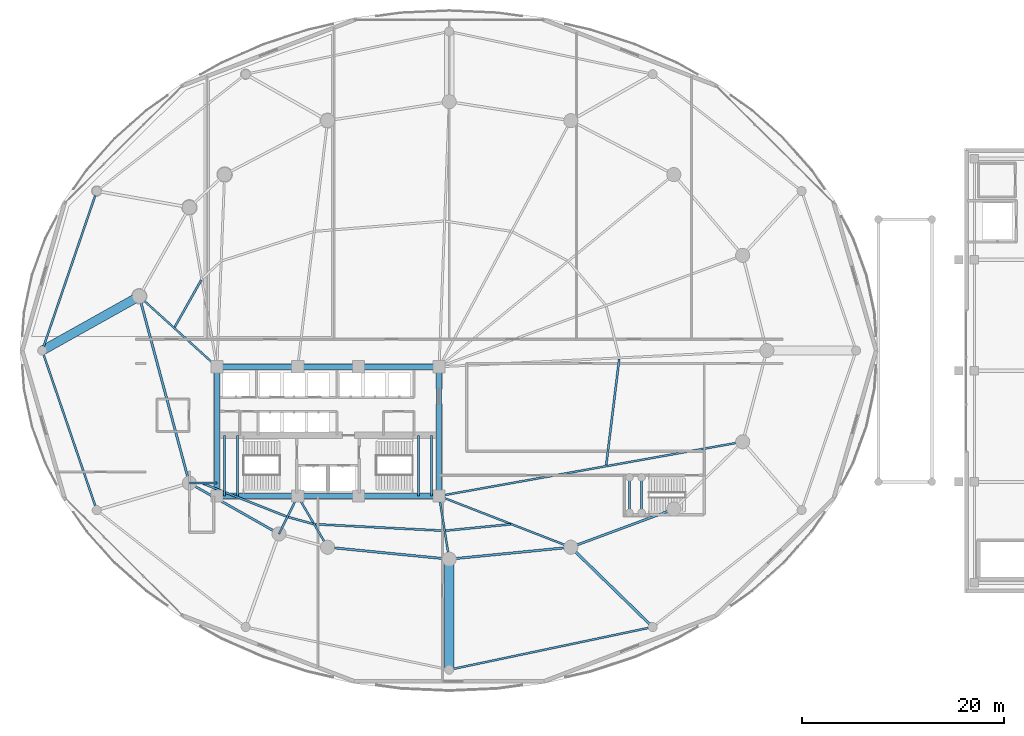
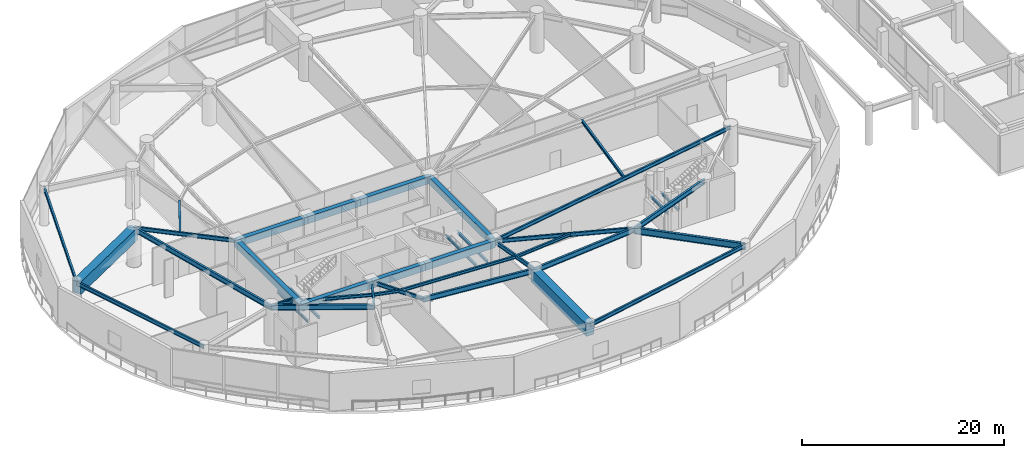
# One storey, part 5 of 36: 38 beams.
"""IFC4 building model written with IfcOpenShell, lengths in metres."""

from ifc_helpers import new_model, si_unit, direction, frame, origin, origin_2d, place, context, subcontext, project, spatial, rectangle, i_section, extrude, material, material_profile, profile_set, type_object, element, save


model = new_model("IFC4")

# Units and contexts
model_context = context("Model", 3, precision=1e-05, world=origin(), true_north=direction((0.0, 1.0)))
body_context = subcontext(model_context, "Body", "Model", "MODEL_VIEW")
ifc_project = project(units=[si_unit("LENGTHUNIT", "METRE"), si_unit("AREAUNIT", "SQUARE_METRE"), si_unit("VOLUMEUNIT", "CUBIC_METRE"), si_unit("PLANEANGLEUNIT", "RADIAN"), si_unit("MASSUNIT", "GRAM", prefix="KILO")], contexts=[model_context])

# Site, building, storey
site_placement = place(None, origin())
site = spatial("IfcSite", under=ifc_project, at=site_placement, CompositionType="ELEMENT")
building_placement = place(site_placement, origin())
building = spatial("IfcBuilding", under=site, at=building_placement, Name="Kazevale Care Tower and Concert Hall", CompositionType="ELEMENT")
storey_placement = place(building_placement, frame((0.0, 0.0, 14.39990234375)))
storey = spatial("IfcBuildingStorey", under=building, at=storey_placement, Name="L03", CompositionType="ELEMENT", Elevation=14.39990234375)

# Beams
ifc_material_1 = material(Name="Concrete C60", Category="concrete")
ifc_material_profile_1 = material_profile(ifc_material_1, rectangle(XDim=0.5, YDim=0.85009765625, at=origin_2d()), Name="RC-B500x850")
ifc_profile_set_1 = profile_set([ifc_material_profile_1], Name="Concrete C60")
beam_type_1 = type_object("IfcBeamType", Name="Core Coupling Beam RC500x850", PredefinedType="LINTEL", material=ifc_profile_set_1)
beam_1_placement = place(storey_placement, frame((22.0, 23.60009765625, 4.09521484375), z_axis=(1.0, 0.0, 0.0), x_axis=(0.0, 1.0, 0.0)))
element("IfcBeam", 1, at=beam_1_placement, inside=storey, type_object=beam_type_1, Name="beam:L03:coretie:1", PredefinedType="LINTEL", context=body_context, shape_type="SweptSolid", body=[
    extrude(rectangle(XDim=0.5, YDim=0.85009765625, at=origin_2d()), origin(), (0.0, 0.0, 1.0), 8.0),
])
beam_2_placement = place(storey_placement, frame((30.0, 23.60009765625, 4.09521484375), z_axis=(1.0, 0.0, 0.0), x_axis=(0.0, 1.0, 0.0)))
element("IfcBeam", 2, at=beam_2_placement, inside=storey, type_object=beam_type_1, Name="beam:L03:coretie:2", PredefinedType="LINTEL", context=body_context, shape_type="SweptSolid", body=[
    extrude(rectangle(XDim=0.5, YDim=0.85009765625, at=origin_2d()), origin(), (0.0, 0.0, 1.0), 6.0),
])
beam_3_placement = place(storey_placement, frame((36.0, 23.60009765625, 4.09521484375), z_axis=(1.0, 0.0, 0.0), x_axis=(0.0, 1.0, 0.0)))
element("IfcBeam", 3, at=beam_3_placement, inside=storey, type_object=beam_type_1, Name="beam:L03:coretie:3", PredefinedType="LINTEL", context=body_context, shape_type="SweptSolid", body=[
    extrude(rectangle(XDim=0.5, YDim=0.85009765625, at=origin_2d()), origin(), (0.0, 0.0, 1.0), 8.0),
])
beam_4_placement = place(storey_placement, frame((44.0, 23.60009765625, 4.09521484375), z_axis=(0.0, 1.0, 0.0), x_axis=(-1.0, 0.0, 0.0)))
element("IfcBeam", 4, at=beam_4_placement, inside=storey, type_object=beam_type_1, Name="beam:L03:coretie:4", PredefinedType="LINTEL", context=body_context, shape_type="SweptSolid", body=[
    extrude(rectangle(XDim=0.5, YDim=0.85009765625, at=origin_2d()), origin(), (0.0, 0.0, 1.0), 12.7998046875),
])
beam_5_placement = place(storey_placement, frame((44.0, 36.39990234375, 4.09521484375), z_axis=(-1.0, 0.0, 0.0), x_axis=(0.0, -1.0, 0.0)))
element("IfcBeam", 5, at=beam_5_placement, inside=storey, type_object=beam_type_1, Name="beam:L03:coretie:5", PredefinedType="LINTEL", context=body_context, shape_type="SweptSolid", body=[
    extrude(rectangle(XDim=0.5, YDim=0.85009765625, at=origin_2d()), origin(), (0.0, 0.0, 1.0), 8.0),
])
beam_6_placement = place(storey_placement, frame((36.0, 36.39990234375, 4.09521484375), z_axis=(-1.0, 0.0, 0.0), x_axis=(0.0, -1.0, 0.0)))
element("IfcBeam", 6, at=beam_6_placement, inside=storey, type_object=beam_type_1, Name="beam:L03:coretie:6", PredefinedType="LINTEL", context=body_context, shape_type="SweptSolid", body=[
    extrude(rectangle(XDim=0.5, YDim=0.85009765625, at=origin_2d()), origin(), (0.0, 0.0, 1.0), 6.0),
])
beam_7_placement = place(storey_placement, frame((30.0, 36.39990234375, 4.09521484375), z_axis=(-1.0, 0.0, 0.0), x_axis=(0.0, -1.0, 0.0)))
element("IfcBeam", 7, at=beam_7_placement, inside=storey, type_object=beam_type_1, Name="beam:L03:coretie:7", PredefinedType="LINTEL", context=body_context, shape_type="SweptSolid", body=[
    extrude(rectangle(XDim=0.5, YDim=0.85009765625, at=origin_2d()), origin(), (0.0, 0.0, 1.0), 8.0),
])
beam_8_placement = place(storey_placement, frame((22.0, 36.39990234375, 4.09521484375), z_axis=(0.0, -1.0, 0.0), x_axis=(1.0, 0.0, 0.0)))
element("IfcBeam", 8, at=beam_8_placement, inside=storey, type_object=beam_type_1, Name="beam:L03:coretie:8", PredefinedType="LINTEL", context=body_context, shape_type="SweptSolid", body=[
    extrude(rectangle(XDim=0.5, YDim=0.85009765625, at=origin_2d()), origin(), (0.0, 0.0, 1.0), 12.7998046875),
])
ifc_material_2 = material(Name="Steel ASTM A572 Gr 50", Category="steel")
ifc_material_profile_2 = material_profile(ifc_material_2, i_section(OverallWidth=0.194091796875, OverallDepth=0.468994140625, WebThickness=0.0126953125, FlangeThickness=0.0205078125, at=origin_2d()), Name="W460x106")
ifc_profile_set_2 = profile_set([ifc_material_profile_2], Name="Steel ASTM A572 Gr 50")
beam_type_2 = type_object("IfcBeamType", Name="Podium Floor Beam W460x106", PredefinedType="BEAM", material=ifc_profile_set_2)
for number, where, z_axis, x_axis, name in (
    (9, (10.10009765625, 53.800048828125, 4.28564453125), (-0.323412440773, -0.946258100707, 0.0), (0.946258100707, -0.323412440773, 0.0), "beam:L03:podring:06"),
    (10, (4.699951171875, 38.0, 4.28564453125), (0.323412440773, -0.946258100707, 0.0), (0.946258100707, 0.323412440773, 0.0), "beam:L03:podring:07"),
):
    element("IfcBeam", number, at=place(storey_placement, frame(where, z_axis=z_axis, x_axis=x_axis)), inside=storey, type_object=beam_type_2, Name=name, PredefinedType="BEAM", context=body_context, shape_type="SweptSolid", body=[
        extrude(i_section(OverallWidth=0.194091796875, OverallDepth=0.468994140625, WebThickness=0.0126953125, FlangeThickness=0.0205078125, at=origin_2d()), origin(), (0.0, 0.0, 1.0), 16.697509765625),
    ])
beam_9_placement = place(storey_placement, frame((45.0, 6.39990234375, 4.28564453125), z_axis=(0.978668137727, 0.205447502293, 0.0), x_axis=(-0.205447502293, 0.978668137727, 0.0)))
element("IfcBeam", 11, at=beam_9_placement, inside=storey, type_object=beam_type_2, Name="beam:L03:podring:10", PredefinedType="BEAM", context=body_context, shape_type="SweptSolid", body=[
    extrude(i_section(OverallWidth=0.194091796875, OverallDepth=0.468994140625, WebThickness=0.0126953125, FlangeThickness=0.0205078125, at=origin_2d()), origin(), (0.0, 0.0, 1.0), 20.589111328125),
])
ifc_material_profile_3 = material_profile(ifc_material_2, i_section(OverallWidth=0.26806640625, OverallDepth=0.77001953125, WebThickness=0.015625, FlangeThickness=0.025390625, at=origin_2d()), Name="W760x196")
ifc_profile_set_3 = profile_set([ifc_material_profile_3], Name="Steel ASTM A572 Gr 50")
beam_type_3 = type_object("IfcBeamType", Name="Podium Primary Girder W760x196", PredefinedType="BEAM", material=ifc_profile_set_3)
beam_10_placement = place(storey_placement, frame((57.0400390625, 18.530029296875, 4.135009765625), z_axis=(0.716307795312, -0.697784452661, 0.0), x_axis=(0.697784452661, 0.716307795312, 0.0)))
element("IfcBeam", 12, at=beam_10_placement, inside=storey, type_object=beam_type_3, Name="beam:L03:podrad:11", PredefinedType="BEAM", context=body_context, shape_type="SweptSolid", body=[
    extrude(i_section(OverallWidth=0.26806640625, OverallDepth=0.77001953125, WebThickness=0.015625, FlangeThickness=0.025390625, at=origin_2d()), origin(), (0.0, 0.0, 1.0), 11.32177734375),
])
ifc_material_profile_4 = material_profile(ifc_material_1, rectangle(XDim=0.89990234375, YDim=1.5, at=origin_2d()), Name="RC-TG900x1500")
ifc_profile_set_4 = profile_set([ifc_material_profile_4], Name="Concrete C60")
beam_type_4 = type_object("IfcBeamType", Name="Podium Transfer Girder RC900x1500", PredefinedType="BEAM", material=ifc_profile_set_4)
beam_11_placement = place(storey_placement, frame((14.31005859375, 43.3798828125, 3.77001953125), z_axis=(-0.872574804498, -0.488480511951, 0.0), x_axis=(0.488480511951, -0.872574804498, 0.0)))
element("IfcBeam", 13, at=beam_11_placement, inside=storey, type_object=beam_type_4, Name="beam:L03:podtg:3", PredefinedType="BEAM", context=body_context, shape_type="SweptSolid", body=[
    extrude(rectangle(XDim=0.89990234375, YDim=1.5, at=origin_2d()), origin(), (0.0, 0.0, 1.0), 11.013427734375),
])
beam_12_placement = place(storey_placement, frame((45.0, 17.35009765625, 3.77001953125), z_axis=(0.0, -1.0, 0.0), x_axis=(1.0, 0.0, 0.0)))
element("IfcBeam", 14, at=beam_12_placement, inside=storey, type_object=beam_type_4, Name="beam:L03:podtg:4", PredefinedType="BEAM", context=body_context, shape_type="SweptSolid", body=[
    extrude(rectangle(XDim=0.89990234375, YDim=1.5, at=origin_2d()), origin(), (0.0, 0.0, 1.0), 10.9501953125),
])
ifc_material_profile_5 = material_profile(ifc_material_2, i_section(OverallWidth=0.19091796875, OverallDepth=0.4599609375, WebThickness=0.010009765625, FlangeThickness=0.01611328125, at=origin_2d()), Name="W460x82")
ifc_profile_set_5 = profile_set([ifc_material_profile_5], Name="Steel ASTM A572 Gr 50")
beam_type_5 = type_object("IfcBeamType", Name="Radial Floor Beam W460x82", PredefinedType="BEAM", material=ifc_profile_set_5)
beam_13_placement = place(storey_placement, frame((22.0, 36.39990234375, 4.2900390625), z_axis=(-0.740461073653, 0.672099247436, 0.0), x_axis=(-0.672099247436, -0.740461073653, 0.0)))
element("IfcBeam", 15, at=beam_13_placement, inside=storey, type_object=beam_type_5, Name="beam:L03:rad:09", PredefinedType="BEAM", context=body_context, shape_type="SweptSolid", body=[
    extrude(i_section(OverallWidth=0.19091796875, OverallDepth=0.4599609375, WebThickness=0.010009765625, FlangeThickness=0.01611328125, at=origin_2d()), origin(), (0.0, 0.0, 1.0), 10.38525390625),
])
beam_14_placement = place(storey_placement, frame((22.0, 24.8798828125, 4.2900390625), z_axis=(-1.0, 0.0, 0.0), x_axis=(0.0, -1.0, 0.0)))
element("IfcBeam", 16, at=beam_14_placement, inside=storey, type_object=beam_type_5, Name="beam:L03:rad:10", PredefinedType="BEAM", context=body_context, shape_type="SweptSolid", body=[
    extrude(i_section(OverallWidth=0.19091796875, OverallDepth=0.4599609375, WebThickness=0.010009765625, FlangeThickness=0.01611328125, at=origin_2d()), origin(), (0.0, 0.0, 1.0), 2.72998046875),
])
beam_15_placement = place(storey_placement, frame((30.0, 23.60009765625, 4.2900390625), z_axis=(-0.442443019162, -0.896796618412, 0.0), x_axis=(0.896796618412, -0.442443019162, 0.0)))
element("IfcBeam", 17, at=beam_15_placement, inside=storey, type_object=beam_type_5, Name="beam:L03:rad:11", PredefinedType="BEAM", context=body_context, shape_type="SweptSolid", body=[
    extrude(i_section(OverallWidth=0.19091796875, OverallDepth=0.4599609375, WebThickness=0.010009765625, FlangeThickness=0.01611328125, at=origin_2d()), origin(), (0.0, 0.0, 1.0), 4.181640625),
])
beam_16_placement = place(storey_placement, frame((30.0, 23.60009765625, 4.2900390625), z_axis=(0.50417868077, -0.86359936189, 0.0), x_axis=(0.86359936189, 0.50417868077, 0.0)))
element("IfcBeam", 18, at=beam_16_placement, inside=storey, type_object=beam_type_5, Name="beam:L03:rad:12", PredefinedType="BEAM", context=body_context, shape_type="SweptSolid", body=[
    extrude(i_section(OverallWidth=0.19091796875, OverallDepth=0.4599609375, WebThickness=0.010009765625, FlangeThickness=0.01611328125, at=origin_2d()), origin(), (0.0, 0.0, 1.0), 5.870849609375),
])
beam_17_placement = place(storey_placement, frame((44.0, 23.60009765625, 4.2900390625), z_axis=(0.157990501107, -0.987440631917, 0.0), x_axis=(0.987440631917, 0.157990501107, 0.0)))
element("IfcBeam", 19, at=beam_17_placement, inside=storey, type_object=beam_type_5, Name="beam:L03:rad:13", PredefinedType="BEAM", context=body_context, shape_type="SweptSolid", body=[
    extrude(i_section(OverallWidth=0.19091796875, OverallDepth=0.4599609375, WebThickness=0.010009765625, FlangeThickness=0.01611328125, at=origin_2d()), origin(), (0.0, 0.0, 1.0), 6.32958984375),
])
beam_18_placement = place(storey_placement, frame((44.0, 23.60009765625, 4.2900390625), z_axis=(0.932030212407, -0.362380577792, 0.0), x_axis=(0.362380577792, 0.932030212407, 0.0)))
element("IfcBeam", 20, at=beam_18_placement, inside=storey, type_object=beam_type_5, Name="beam:L03:rad:14", PredefinedType="BEAM", context=body_context, shape_type="SweptSolid", body=[
    extrude(i_section(OverallWidth=0.19091796875, OverallDepth=0.4599609375, WebThickness=0.010009765625, FlangeThickness=0.01611328125, at=origin_2d()), origin(), (0.0, 0.0, 1.0), 13.990966796875),
])
beam_19_placement = place(storey_placement, frame((44.0, 23.60009765625, 4.2900390625), z_axis=(0.984416208219, 0.175854283415, 0.0), x_axis=(-0.175854283415, 0.984416208219, 0.0)))
element("IfcBeam", 21, at=beam_19_placement, inside=storey, type_object=beam_type_5, Name="beam:L03:rad:16", PredefinedType="BEAM", context=body_context, shape_type="SweptSolid", body=[
    extrude(i_section(OverallWidth=0.19091796875, OverallDepth=0.4599609375, WebThickness=0.010009765625, FlangeThickness=0.01611328125, at=origin_2d()), origin(), (0.0, 0.0, 1.0), 30.535888671875),
])
ifc_material_profile_6 = material_profile(ifc_material_2, i_section(OverallWidth=0.22900390625, OverallDepth=0.612060546875, WebThickness=0.011962890625, FlangeThickness=0.01953125, at=origin_2d()), Name="W610x125")
ifc_profile_set_6 = profile_set([ifc_material_profile_6], Name="Steel ASTM A572 Gr 50")
beam_type_6 = type_object("IfcBeamType", Name="Ring Spandrel Beam W610x125", PredefinedType="SPANDREL", material=ifc_profile_set_6)
beam_20_placement = place(storey_placement, frame((14.31005859375, 43.3798828125, 4.214111328125), z_axis=(0.258960352031, -0.965887952133, 0.0), x_axis=(0.965887952133, 0.258960352031, 0.0)))
element("IfcBeam", 22, at=beam_20_placement, inside=storey, type_object=beam_type_6, Name="beam:L03:ring:09", PredefinedType="SPANDREL", context=body_context, shape_type="SweptSolid", body=[
    extrude(i_section(OverallWidth=0.22900390625, OverallDepth=0.612060546875, WebThickness=0.011962890625, FlangeThickness=0.01953125, at=origin_2d()), origin(), (0.0, 0.0, 1.0), 19.1533203125),
])
beam_21_placement = place(storey_placement, frame((19.27001953125, 24.8798828125, 4.214111328125), z_axis=(0.870112469479, -0.492853213906, 0.0), x_axis=(0.492853213906, 0.870112469479, 0.0)))
element("IfcBeam", 23, at=beam_21_placement, inside=storey, type_object=beam_type_6, Name="beam:L03:ring:10", PredefinedType="SPANDREL", context=body_context, shape_type="SweptSolid", body=[
    extrude(i_section(OverallWidth=0.22900390625, OverallDepth=0.612060546875, WebThickness=0.011962890625, FlangeThickness=0.01953125, at=origin_2d()), origin(), (0.0, 0.0, 1.0), 10.205322265625),
])
for number, where, z_axis, x_axis, name in (
    (24, (32.9599609375, 18.530029296875, 4.214111328125), (0.995232251602, -0.09753340644, 0.0), (0.09753340644, 0.995232251602, 0.0), "beam:L03:ring:12"),
    (25, (45.0, 17.35009765625, 4.214111328125), (0.995232251602, 0.09753340644, 0.0), (-0.09753340644, 0.995232251602, 0.0), "beam:L03:ring:13"),
):
    element("IfcBeam", number, at=place(storey_placement, frame(where, z_axis=z_axis, x_axis=x_axis)), inside=storey, type_object=beam_type_6, Name=name, PredefinedType="SPANDREL", context=body_context, shape_type="SweptSolid", body=[
        extrude(i_section(OverallWidth=0.22900390625, OverallDepth=0.612060546875, WebThickness=0.011962890625, FlangeThickness=0.01953125, at=origin_2d()), origin(), (0.0, 0.0, 1.0), 12.09765625),
    ])
beam_22_placement = place(storey_placement, frame((57.0400390625, 18.530029296875, 4.214111328125), z_axis=(0.937680788596, 0.347497825458, 0.0), x_axis=(-0.347497825458, 0.937680788596, 0.0)))
element("IfcBeam", 26, at=beam_22_placement, inside=storey, type_object=beam_type_6, Name="beam:L03:ring:14", PredefinedType="SPANDREL", context=body_context, shape_type="SweptSolid", body=[
    extrude(i_section(OverallWidth=0.22900390625, OverallDepth=0.612060546875, WebThickness=0.011962890625, FlangeThickness=0.01953125, at=origin_2d()), origin(), (0.0, 0.0, 1.0), 10.8779296875),
])
ifc_material_profile_7 = material_profile(ifc_material_2, i_section(OverallWidth=0.205078125, OverallDepth=0.35400390625, WebThickness=0.009521484375, FlangeThickness=0.016845703125, at=origin_2d()), Name="W360x79")
ifc_profile_set_7 = profile_set([ifc_material_profile_7], Name="Steel ASTM A572 Gr 50")
beam_type_7 = type_object("IfcBeamType", Name="Secondary Floor Joist W360x79", PredefinedType="JOIST", material=ifc_profile_set_7)
beam_23_placement = place(storey_placement, frame((20.447021484375, 44.988037109375, 4.343017578125), z_axis=(-0.490956987312, -0.871183813331, 0.0), x_axis=(0.871183813331, -0.490956987312, 0.0)))
element("IfcBeam", 27, at=beam_23_placement, inside=storey, type_object=beam_type_7, Name="beam:L03:joist:08", PredefinedType="JOIST", context=body_context, shape_type="SweptSolid", body=[
    extrude(i_section(OverallWidth=0.205078125, OverallDepth=0.35400390625, WebThickness=0.009521484375, FlangeThickness=0.016845703125, at=origin_2d()), origin(), (0.0, 0.0, 1.0), 5.3466796875),
])
beam_24_placement = place(storey_placement, frame((20.595947265625, 24.842041015625, 4.343017578125), z_axis=(0.930380638802, -0.366594963062, 0.0), x_axis=(0.366594963062, 0.930380638802, 0.0)))
element("IfcBeam", 28, at=beam_24_placement, inside=storey, type_object=beam_type_7, Name="beam:L03:joist:10", PredefinedType="JOIST", context=body_context, shape_type="SweptSolid", body=[
    extrude(i_section(OverallWidth=0.205078125, OverallDepth=0.35400390625, WebThickness=0.009521484375, FlangeThickness=0.016845703125, at=origin_2d()), origin(), (0.0, 0.0, 1.0), 8.909423828125),
])
beam_25_placement = place(storey_placement, frame((29.083984375, 21.510009765625, 4.343017578125), z_axis=(0.964302027389, -0.264804833743, 0.0), x_axis=(0.264804833743, 0.964302027389, 0.0)))
element("IfcBeam", 29, at=beam_25_placement, inside=storey, type_object=beam_type_7, Name="beam:L03:joist:11", PredefinedType="JOIST", context=body_context, shape_type="SweptSolid", body=[
    extrude(i_section(OverallWidth=0.205078125, OverallDepth=0.35400390625, WebThickness=0.009521484375, FlangeThickness=0.016845703125, at=origin_2d()), origin(), (0.0, 0.0, 1.0), 2.533447265625),
])
beam_26_placement = place(storey_placement, frame((31.73291015625, 20.805908203125, 4.343017578125), z_axis=(0.998743186005, -0.050120339262, 0.0), x_axis=(0.050120339262, 0.998743186005, 0.0)))
element("IfcBeam", 30, at=beam_26_placement, inside=storey, type_object=beam_type_7, Name="beam:L03:joist:12", PredefinedType="JOIST", context=body_context, shape_type="SweptSolid", body=[
    extrude(i_section(OverallWidth=0.205078125, OverallDepth=0.35400390625, WebThickness=0.009521484375, FlangeThickness=0.016845703125, at=origin_2d()), origin(), (0.0, 0.0, 1.0), 12.728271484375),
])
beam_27_placement = place(storey_placement, frame((44.654052734375, 20.173095703125, 4.343017578125), z_axis=(0.995242075791, 0.097433108212, 0.0), x_axis=(-0.097433108212, 0.995242075791, 0.0)))
element("IfcBeam", 31, at=beam_27_placement, inside=storey, type_object=beam_type_7, Name="beam:L03:joist:13", PredefinedType="JOIST", context=body_context, shape_type="SweptSolid", body=[
    extrude(i_section(OverallWidth=0.205078125, OverallDepth=0.35400390625, WebThickness=0.009521484375, FlangeThickness=0.016845703125, at=origin_2d()), origin(), (0.0, 0.0, 1.0), 6.44482421875),
])
beam_28_placement = place(storey_placement, frame((60.5458984375, 26.657958984375, 4.343017578125), z_axis=(0.1216468088, 0.992573450133, 0.0), x_axis=(-0.992573450133, 0.1216468088, 0.0)))
element("IfcBeam", 32, at=beam_28_placement, inside=storey, type_object=beam_type_7, Name="beam:L03:joist:16", PredefinedType="JOIST", context=body_context, shape_type="SweptSolid", body=[
    extrude(i_section(OverallWidth=0.205078125, OverallDepth=0.35400390625, WebThickness=0.009521484375, FlangeThickness=0.016845703125, at=origin_2d()), origin(), (0.0, 0.0, 1.0), 10.5966796875),
])
ifc_material_profile_8 = material_profile(ifc_material_2, i_section(OverallWidth=0.202880859375, OverallDepth=0.302978515625, WebThickness=0.007568359375, FlangeThickness=0.01318359375, at=origin_2d()), Name="W310x60")
ifc_profile_set_8 = profile_set([ifc_material_profile_8], Name="Steel ASTM A572 Gr 50")
beam_type_8 = type_object("IfcBeamType", Name="Stair & Balcony Trimmer W310x60", PredefinedType="BEAM", material=ifc_profile_set_8)
for number, where, z_axis, x_axis, name in (
    (33, (22.75, 23.60009765625, 2.048583984375), (0.0, 1.0, 0.0), (-1.0, 0.0, 0.0), "beam:L03:sttrim:ST1"),
    (34, (24.050048828125, 23.60009765625, 2.048583984375), (0.0, 1.0, 0.0), (-1.0, 0.0, 0.0), "beam:L03:sttrim:ST1b"),
    (35, (41.949951171875, 23.60009765625, 2.048583984375), (0.0, 1.0, 0.0), (-1.0, 0.0, 0.0), "beam:L03:sttrim:ST2"),
    (36, (43.25, 23.60009765625, 2.048583984375), (0.0, 1.0, 0.0), (-1.0, 0.0, 0.0), "beam:L03:sttrim:ST2b"),
):
    element("IfcBeam", number, at=place(storey_placement, frame(where, z_axis=z_axis, x_axis=x_axis)), inside=storey, type_object=beam_type_8, Name=name, PredefinedType="BEAM", context=body_context, shape_type="SweptSolid", body=[
        extrude(i_section(OverallWidth=0.202880859375, OverallDepth=0.302978515625, WebThickness=0.007568359375, FlangeThickness=0.01318359375, at=origin_2d()), origin(), (0.0, 0.0, 1.0), 6.0),
    ])
for number, where, z_axis, x_axis, name in (
    (37, (62.85009765625, 21.949951171875, 2.048583984375), (0.0, 1.0, 0.0), (-1.0, 0.0, 0.0), "beam:L03:st3trim:1"),
    (38, (64.050048828125, 21.949951171875, 2.048583984375), (0.0, 1.0, 0.0), (-1.0, 0.0, 0.0), "beam:L03:st3trim:2"),
):
    element("IfcBeam", number, at=place(storey_placement, frame(where, z_axis=z_axis, x_axis=x_axis)), inside=storey, type_object=beam_type_8, Name=name, PredefinedType="BEAM", context=body_context, shape_type="SweptSolid", body=[
        extrude(i_section(OverallWidth=0.202880859375, OverallDepth=0.302978515625, WebThickness=0.007568359375, FlangeThickness=0.01318359375, at=origin_2d()), origin(), (0.0, 0.0, 1.0), 3.5),
    ])

save(model, "model.ifc")
